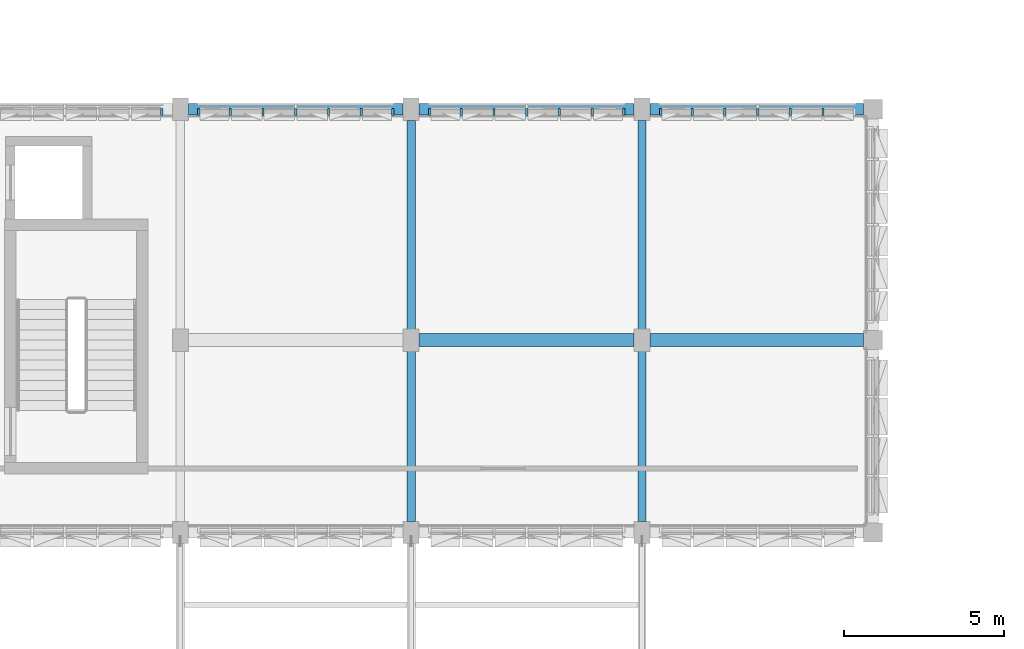
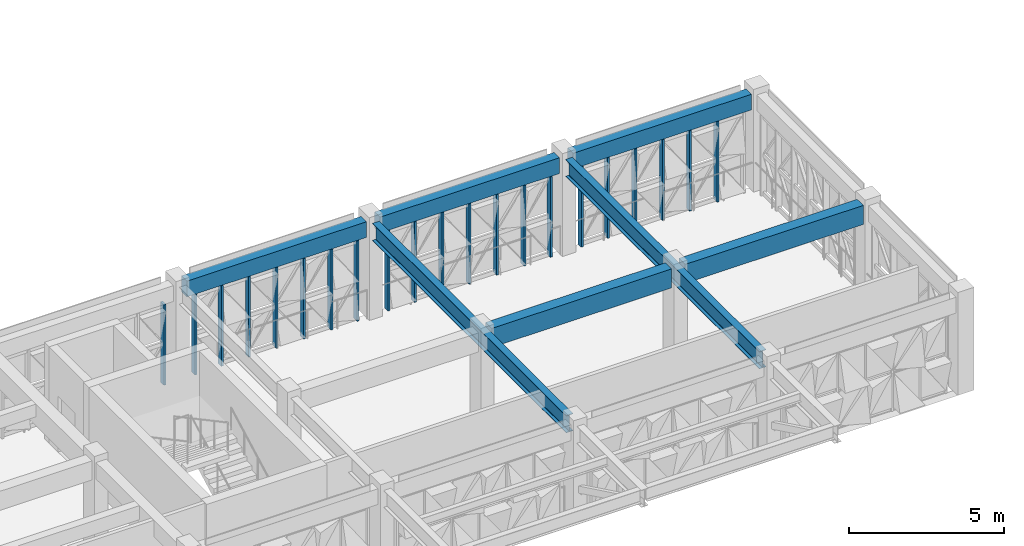
# One storey, part 10 of 88: 21 members, 7 beams, 4 elements without a shape of their own.
"""IFC4 building model written with IfcOpenShell, lengths in metres."""

from ifc_helpers import new_model, si_unit, direction, frame, origin, origin_2d, place, context, subcontext, project, spatial, rectangle, i_section, extrude, material, material_profile, profile_set, type_object, element, aggregate, save


model = new_model("IFC4")

# Units and contexts
model_context = context("Model", 3, precision=1e-05, world=origin(), true_north=direction((0.0, 1.0)))
body_context = subcontext(model_context, "Body", "Model", "MODEL_VIEW")
ifc_project = project(units=[si_unit("LENGTHUNIT", "METRE"), si_unit("AREAUNIT", "SQUARE_METRE"), si_unit("VOLUMEUNIT", "CUBIC_METRE"), si_unit("PLANEANGLEUNIT", "RADIAN"), si_unit("MASSUNIT", "GRAM", prefix="KILO")], contexts=[model_context])

# Site, building, storey
site_placement = place(None, origin())
site = spatial("IfcSite", under=ifc_project, at=site_placement, CompositionType="ELEMENT")
building_placement = place(site_placement, origin())
building = spatial("IfcBuilding", under=site, at=building_placement, Name="Alvorim Cloister Faculty of Sciences", CompositionType="ELEMENT")
storey_placement = place(building_placement, frame((0.0, 0.0, 4.5)))
storey = spatial("IfcBuildingStorey", under=building, at=storey_placement, Name="L01", CompositionType="ELEMENT", Elevation=4.5)

# Beams
ifc_material_1 = material(Name="Concrete C40", Category="concrete")
ifc_material_profile_1 = material_profile(ifc_material_1, rectangle(XDim=0.39990234375, YDim=0.75, at=origin_2d()), Name="RC40-BM-400x750")
ifc_profile_set_1 = profile_set([ifc_material_profile_1], Name="Concrete C40")
beam_type_1 = type_object("IfcBeamType", Name="BM-RC-400x750", PredefinedType="BEAM", material=ifc_profile_set_1)
beam_1_placement = place(storey_placement, frame((50.64990234375, 49.199951171875, 3.4150390625), z_axis=(1.0, 0.0, 0.0), x_axis=(0.0, 1.0, 0.0)))
element("IfcBeam", 1, at=beam_1_placement, inside=storey, type_object=beam_type_1, Name="L01 Primary Beam BM-0979", PredefinedType="BEAM", context=body_context, shape_type="SweptSolid", body=[
    extrude(rectangle(XDim=0.39990234375, YDim=0.75, at=origin_2d()), origin(), (0.0, 0.0, 1.0), 6.7001953125),
])
beam_2_placement = place(storey_placement, frame((57.85009765625, 49.199951171875, 3.4150390625), z_axis=(1.0, 0.0, 0.0), x_axis=(0.0, 1.0, 0.0)))
element("IfcBeam", 2, at=beam_2_placement, inside=storey, type_object=beam_type_1, Name="L01 Primary Beam BM-0980", PredefinedType="BEAM", context=body_context, shape_type="SweptSolid", body=[
    extrude(rectangle(XDim=0.39990234375, YDim=0.75, at=origin_2d()), origin(), (0.0, 0.0, 1.0), 6.64990234375),
])
ifc_material_profile_2 = material_profile(ifc_material_1, rectangle(XDim=0.35009765625, YDim=0.6201171875, at=origin_2d()), Name="RC40-SPD-350x620")
ifc_profile_set_2 = profile_set([ifc_material_profile_2], Name="Concrete C40")
beam_type_2 = type_object("IfcBeamType", Name="BM-SPD-RC-350x620", PredefinedType="SPANDREL", material=ifc_profile_set_2)
beam_3_placement = place(storey_placement, frame((43.449951171875, 56.39990234375, 3.47998046875), z_axis=(1.0, 0.0, 0.0), x_axis=(0.0, 1.0, 0.0)))
element("IfcBeam", 3, at=beam_3_placement, inside=storey, type_object=beam_type_2, Name="L01 Primary Beam BM-0987", PredefinedType="SPANDREL", context=body_context, shape_type="SweptSolid", body=[
    extrude(rectangle(XDim=0.35009765625, YDim=0.6201171875, at=origin_2d()), origin(), (0.0, 0.0, 1.0), 6.699951171875),
])
beam_4_placement = place(storey_placement, frame((50.64990234375, 56.39990234375, 3.47998046875), z_axis=(1.0, 0.0, 0.0), x_axis=(0.0, 1.0, 0.0)))
element("IfcBeam", 4, at=beam_4_placement, inside=storey, type_object=beam_type_2, Name="L01 Primary Beam BM-0988", PredefinedType="SPANDREL", context=body_context, shape_type="SweptSolid", body=[
    extrude(rectangle(XDim=0.35009765625, YDim=0.6201171875, at=origin_2d()), origin(), (0.0, 0.0, 1.0), 6.7001953125),
])
beam_5_placement = place(storey_placement, frame((57.85009765625, 56.39990234375, 3.47998046875), z_axis=(1.0, 0.0, 0.0), x_axis=(0.0, 1.0, 0.0)))
element("IfcBeam", 5, at=beam_5_placement, inside=storey, type_object=beam_type_2, Name="L01 Primary Beam BM-0989", PredefinedType="SPANDREL", context=body_context, shape_type="SweptSolid", body=[
    extrude(rectangle(XDim=0.35009765625, YDim=0.6201171875, at=origin_2d()), origin(), (0.0, 0.0, 1.0), 6.64990234375),
])
ifc_material_2 = material(Name="Steel ASTM A572 Grade 50", Category="steel")
ifc_material_profile_3 = material_profile(ifc_material_2, i_section(OverallWidth=0.25390625, OverallDepth=0.68408203125, WebThickness=0.012451171875, FlangeThickness=0.01904296875, FilletRadius=0.01904296875, at=origin_2d()), Name="W690x140.0")
ifc_profile_set_3 = profile_set([ifc_material_profile_3], Name="Steel ASTM A572 Grade 50")
beam_type_3 = type_object("IfcBeamType", Name="BM-STL-W690", PredefinedType="BEAM", material=ifc_profile_set_3)
for number, where, z_axis, x_axis, name in (
    (6, (50.39990234375, 43.550048828125, 3.447998046875), (0.0, 1.0, 0.0), (-1.0, 0.0, 0.0), "L01 Cantilever Backspan Girder BM-0033"),
    (7, (57.60009765625, 43.550048828125, 3.447998046875), (0.0, 1.0, 0.0), (-1.0, 0.0, 0.0), "L01 Cantilever Backspan Girder BM-0035"),
):
    element("IfcBeam", number, at=place(storey_placement, frame(where, z_axis=z_axis, x_axis=x_axis)), inside=storey, type_object=beam_type_3, Name=name, PredefinedType="BEAM", context=body_context, shape_type="SweptSolid", body=[
        extrude(i_section(OverallWidth=0.25390625, OverallDepth=0.68408203125, WebThickness=0.012451171875, FlangeThickness=0.01904296875, FilletRadius=0.01904296875, at=origin_2d()), origin(), (0.0, 0.0, 1.0), 12.5),
    ])

# Curtain wall, member
ifc_material_3 = material(Name="Aluminium and Low-E Glass Curtain Wall", Category="aluminium")
curtain_wall_type = type_object("IfcCurtainWallType", Name="CW-TRI-6120x3170", PredefinedType="USERDEFINED", material=ifc_material_3)
curtain_wall_1_placement = place(storey_placement, origin())
curtain_wall_1 = element("IfcCurtainWall", 8, at=curtain_wall_1_placement, inside=storey, type_object=curtain_wall_type, Name="L01 Diagonal Cassette Curtain Wall CW-0013", ObjectType="UNITISED CURTAIN WALL", PredefinedType="USERDEFINED")
ifc_material_4 = material(Name="Aluminium Alloy 6063-T6", Category="aluminium")
ifc_material_profile_4 = material_profile(ifc_material_4, rectangle(XDim=0.074951171875, YDim=0.219970703125, at=origin_2d()), Name="ALU-MUL-75x220")
ifc_profile_set_4 = profile_set([ifc_material_profile_4], Name="Aluminium Alloy 6063-T6")
member_type = type_object("IfcMemberType", Name="CW-MUL-75x220", PredefinedType="MULLION", material=ifc_profile_set_4)
member_1_placement = place(storey_placement, frame((42.62255859375, 56.31005859375, 0.0), z_axis=(0.0, 0.0, 1.0), x_axis=(1.0, 0.0, 0.0)))
member_1 = element("IfcMember", 9, at=member_1_placement, type_object=member_type, Name="CW-0013 Mullion 7", PredefinedType="MULLION", context=body_context, shape_type="SweptSolid", body=[
    extrude(rectangle(XDim=0.074951171875, YDim=0.219970703125, at=origin_2d()), origin(), (0.0, 0.0, 1.0), 3.169921875),
])
aggregate(curtain_wall_1, [member_1])

# Curtain wall, members
curtain_wall_2_placement = place(storey_placement, origin())
curtain_wall_2 = element("IfcCurtainWall", 10, at=curtain_wall_2_placement, inside=storey, type_object=curtain_wall_type, Name="L01 Diagonal Cassette Curtain Wall CW-0014", ObjectType="UNITISED CURTAIN WALL", PredefinedType="USERDEFINED")
member_2_placement = place(storey_placement, frame((43.777587890625, 56.31005859375, 0.0), z_axis=(0.0, 0.0, 1.0), x_axis=(1.0, 0.0, 0.0)))
member_2 = element("IfcMember", 11, at=member_2_placement, type_object=member_type, Name="CW-0014 Mullion 1", PredefinedType="MULLION", context=body_context, shape_type="SweptSolid", body=[
    extrude(rectangle(XDim=0.074951171875, YDim=0.219970703125, at=origin_2d()), origin(), (0.0, 0.0, 1.0), 3.169921875),
])
member_3_placement = place(storey_placement, frame((44.760009765625, 56.31005859375, 0.0), z_axis=(0.0, 0.0, 1.0), x_axis=(1.0, 0.0, 0.0)))
member_3 = element("IfcMember", 12, at=member_3_placement, type_object=member_type, Name="CW-0014 Mullion 2", PredefinedType="MULLION", context=body_context, shape_type="SweptSolid", body=[
    extrude(rectangle(XDim=0.074951171875, YDim=0.219970703125, at=origin_2d()), origin(), (0.0, 0.0, 1.0), 3.169921875),
])
member_4_placement = place(storey_placement, frame((45.780029296875, 56.31005859375, 0.0), z_axis=(0.0, 0.0, 1.0), x_axis=(1.0, 0.0, 0.0)))
member_4 = element("IfcMember", 13, at=member_4_placement, type_object=member_type, Name="CW-0014 Mullion 3", PredefinedType="MULLION", context=body_context, shape_type="SweptSolid", body=[
    extrude(rectangle(XDim=0.074951171875, YDim=0.219970703125, at=origin_2d()), origin(), (0.0, 0.0, 1.0), 3.169921875),
])
member_5_placement = place(storey_placement, frame((46.800048828125, 56.31005859375, 0.0), z_axis=(0.0, 0.0, 1.0), x_axis=(1.0, 0.0, 0.0)))
member_5 = element("IfcMember", 14, at=member_5_placement, type_object=member_type, Name="CW-0014 Mullion 4", PredefinedType="MULLION", context=body_context, shape_type="SweptSolid", body=[
    extrude(rectangle(XDim=0.074951171875, YDim=0.219970703125, at=origin_2d()), origin(), (0.0, 0.0, 1.0), 3.169921875),
])
member_6_placement = place(storey_placement, frame((47.820068359375, 56.31005859375, 0.0), z_axis=(0.0, 0.0, 1.0), x_axis=(1.0, 0.0, 0.0)))
member_6 = element("IfcMember", 15, at=member_6_placement, type_object=member_type, Name="CW-0014 Mullion 5", PredefinedType="MULLION", context=body_context, shape_type="SweptSolid", body=[
    extrude(rectangle(XDim=0.074951171875, YDim=0.219970703125, at=origin_2d()), origin(), (0.0, 0.0, 1.0), 3.169921875),
])
member_7_placement = place(storey_placement, frame((48.840087890625, 56.31005859375, 0.0), z_axis=(0.0, 0.0, 1.0), x_axis=(1.0, 0.0, 0.0)))
member_7 = element("IfcMember", 16, at=member_7_placement, type_object=member_type, Name="CW-0014 Mullion 6", PredefinedType="MULLION", context=body_context, shape_type="SweptSolid", body=[
    extrude(rectangle(XDim=0.074951171875, YDim=0.219970703125, at=origin_2d()), origin(), (0.0, 0.0, 1.0), 3.169921875),
])
member_8_placement = place(storey_placement, frame((49.822509765625, 56.31005859375, 0.0), z_axis=(0.0, 0.0, 1.0), x_axis=(1.0, 0.0, 0.0)))
member_8 = element("IfcMember", 17, at=member_8_placement, type_object=member_type, Name="CW-0014 Mullion 7", PredefinedType="MULLION", context=body_context, shape_type="SweptSolid", body=[
    extrude(rectangle(XDim=0.074951171875, YDim=0.219970703125, at=origin_2d()), origin(), (0.0, 0.0, 1.0), 3.169921875),
])
aggregate(curtain_wall_2, [member_2, member_3, member_4, member_5, member_6, member_7, member_8])

curtain_wall_3_placement = place(storey_placement, origin())
curtain_wall_3 = element("IfcCurtainWall", 18, at=curtain_wall_3_placement, inside=storey, type_object=curtain_wall_type, Name="L01 Diagonal Cassette Curtain Wall CW-0015", ObjectType="UNITISED CURTAIN WALL", PredefinedType="USERDEFINED")
member_9_placement = place(storey_placement, frame((50.9775390625, 56.31005859375, 0.0), z_axis=(0.0, 0.0, 1.0), x_axis=(1.0, 0.0, 0.0)))
member_9 = element("IfcMember", 19, at=member_9_placement, type_object=member_type, Name="CW-0015 Mullion 1", PredefinedType="MULLION", context=body_context, shape_type="SweptSolid", body=[
    extrude(rectangle(XDim=0.074951171875, YDim=0.219970703125, at=origin_2d()), origin(), (0.0, 0.0, 1.0), 3.169921875),
])
member_10_placement = place(storey_placement, frame((51.9599609375, 56.31005859375, 0.0), z_axis=(0.0, 0.0, 1.0), x_axis=(1.0, 0.0, 0.0)))
member_10 = element("IfcMember", 20, at=member_10_placement, type_object=member_type, Name="CW-0015 Mullion 2", PredefinedType="MULLION", context=body_context, shape_type="SweptSolid", body=[
    extrude(rectangle(XDim=0.074951171875, YDim=0.219970703125, at=origin_2d()), origin(), (0.0, 0.0, 1.0), 3.169921875),
])
member_11_placement = place(storey_placement, frame((52.97998046875, 56.31005859375, 0.0), z_axis=(0.0, 0.0, 1.0), x_axis=(1.0, 0.0, 0.0)))
member_11 = element("IfcMember", 21, at=member_11_placement, type_object=member_type, Name="CW-0015 Mullion 3", PredefinedType="MULLION", context=body_context, shape_type="SweptSolid", body=[
    extrude(rectangle(XDim=0.074951171875, YDim=0.219970703125, at=origin_2d()), origin(), (0.0, 0.0, 1.0), 3.169921875),
])
member_12_placement = place(storey_placement, frame((54.0, 56.31005859375, 0.0), z_axis=(0.0, 0.0, 1.0), x_axis=(1.0, 0.0, 0.0)))
member_12 = element("IfcMember", 22, at=member_12_placement, type_object=member_type, Name="CW-0015 Mullion 4", PredefinedType="MULLION", context=body_context, shape_type="SweptSolid", body=[
    extrude(rectangle(XDim=0.074951171875, YDim=0.219970703125, at=origin_2d()), origin(), (0.0, 0.0, 1.0), 3.169921875),
])
member_13_placement = place(storey_placement, frame((55.02001953125, 56.31005859375, 0.0), z_axis=(0.0, 0.0, 1.0), x_axis=(1.0, 0.0, 0.0)))
member_13 = element("IfcMember", 23, at=member_13_placement, type_object=member_type, Name="CW-0015 Mullion 5", PredefinedType="MULLION", context=body_context, shape_type="SweptSolid", body=[
    extrude(rectangle(XDim=0.074951171875, YDim=0.219970703125, at=origin_2d()), origin(), (0.0, 0.0, 1.0), 3.169921875),
])
member_14_placement = place(storey_placement, frame((56.0400390625, 56.31005859375, 0.0), z_axis=(0.0, 0.0, 1.0), x_axis=(1.0, 0.0, 0.0)))
member_14 = element("IfcMember", 24, at=member_14_placement, type_object=member_type, Name="CW-0015 Mullion 6", PredefinedType="MULLION", context=body_context, shape_type="SweptSolid", body=[
    extrude(rectangle(XDim=0.074951171875, YDim=0.219970703125, at=origin_2d()), origin(), (0.0, 0.0, 1.0), 3.169921875),
])
member_15_placement = place(storey_placement, frame((57.0224609375, 56.31005859375, 0.0), z_axis=(0.0, 0.0, 1.0), x_axis=(1.0, 0.0, 0.0)))
member_15 = element("IfcMember", 25, at=member_15_placement, type_object=member_type, Name="CW-0015 Mullion 7", PredefinedType="MULLION", context=body_context, shape_type="SweptSolid", body=[
    extrude(rectangle(XDim=0.074951171875, YDim=0.219970703125, at=origin_2d()), origin(), (0.0, 0.0, 1.0), 3.169921875),
])
aggregate(curtain_wall_3, [member_9, member_10, member_11, member_12, member_13, member_14, member_15])

curtain_wall_4_placement = place(storey_placement, origin())
curtain_wall_4 = element("IfcCurtainWall", 26, at=curtain_wall_4_placement, inside=storey, type_object=curtain_wall_type, Name="L01 Diagonal Cassette Curtain Wall CW-0016", ObjectType="UNITISED CURTAIN WALL", PredefinedType="USERDEFINED")
member_16_placement = place(storey_placement, frame((58.177490234375, 56.31005859375, 0.0), z_axis=(0.0, 0.0, 1.0), x_axis=(1.0, 0.0, 0.0)))
member_16 = element("IfcMember", 27, at=member_16_placement, type_object=member_type, Name="CW-0016 Mullion 1", PredefinedType="MULLION", context=body_context, shape_type="SweptSolid", body=[
    extrude(rectangle(XDim=0.074951171875, YDim=0.219970703125, at=origin_2d()), origin(), (0.0, 0.0, 1.0), 3.169921875),
])
member_17_placement = place(storey_placement, frame((59.159912109375, 56.31005859375, 0.0), z_axis=(0.0, 0.0, 1.0), x_axis=(1.0, 0.0, 0.0)))
member_17 = element("IfcMember", 28, at=member_17_placement, type_object=member_type, Name="CW-0016 Mullion 2", PredefinedType="MULLION", context=body_context, shape_type="SweptSolid", body=[
    extrude(rectangle(XDim=0.074951171875, YDim=0.219970703125, at=origin_2d()), origin(), (0.0, 0.0, 1.0), 3.169921875),
])
member_18_placement = place(storey_placement, frame((60.179931640625, 56.31005859375, 0.0), z_axis=(0.0, 0.0, 1.0), x_axis=(1.0, 0.0, 0.0)))
member_18 = element("IfcMember", 29, at=member_18_placement, type_object=member_type, Name="CW-0016 Mullion 3", PredefinedType="MULLION", context=body_context, shape_type="SweptSolid", body=[
    extrude(rectangle(XDim=0.074951171875, YDim=0.219970703125, at=origin_2d()), origin(), (0.0, 0.0, 1.0), 3.169921875),
])
member_19_placement = place(storey_placement, frame((61.199951171875, 56.31005859375, 0.0), z_axis=(0.0, 0.0, 1.0), x_axis=(1.0, 0.0, 0.0)))
member_19 = element("IfcMember", 30, at=member_19_placement, type_object=member_type, Name="CW-0016 Mullion 4", PredefinedType="MULLION", context=body_context, shape_type="SweptSolid", body=[
    extrude(rectangle(XDim=0.074951171875, YDim=0.219970703125, at=origin_2d()), origin(), (0.0, 0.0, 1.0), 3.169921875),
])
member_20_placement = place(storey_placement, frame((62.219970703125, 56.31005859375, 0.0), z_axis=(0.0, 0.0, 1.0), x_axis=(1.0, 0.0, 0.0)))
member_20 = element("IfcMember", 31, at=member_20_placement, type_object=member_type, Name="CW-0016 Mullion 5", PredefinedType="MULLION", context=body_context, shape_type="SweptSolid", body=[
    extrude(rectangle(XDim=0.074951171875, YDim=0.219970703125, at=origin_2d()), origin(), (0.0, 0.0, 1.0), 3.169921875),
])
member_21_placement = place(storey_placement, frame((63.239990234375, 56.31005859375, 0.0), z_axis=(0.0, 0.0, 1.0), x_axis=(1.0, 0.0, 0.0)))
member_21 = element("IfcMember", 32, at=member_21_placement, type_object=member_type, Name="CW-0016 Mullion 6", PredefinedType="MULLION", context=body_context, shape_type="SweptSolid", body=[
    extrude(rectangle(XDim=0.074951171875, YDim=0.219970703125, at=origin_2d()), origin(), (0.0, 0.0, 1.0), 3.169921875),
])
aggregate(curtain_wall_4, [member_16, member_17, member_18, member_19, member_20, member_21])

save(model, "model.ifc")
